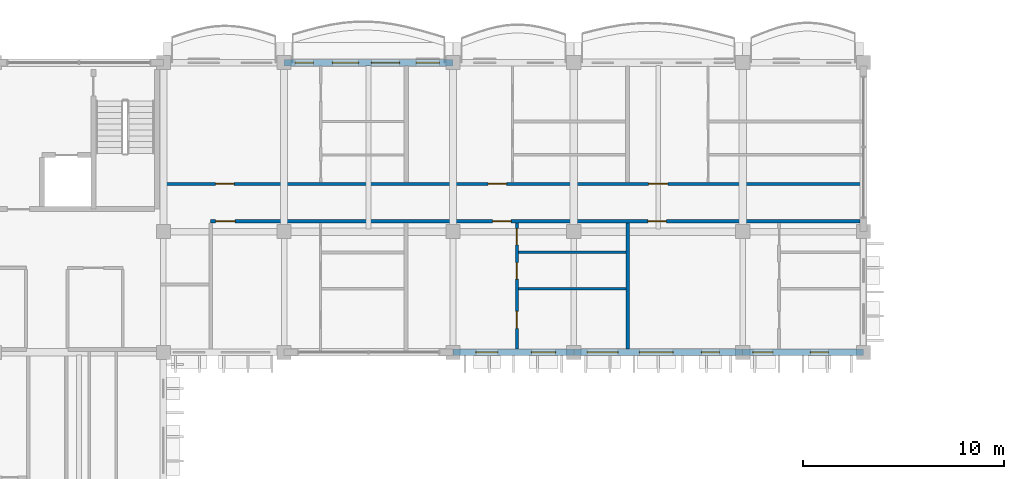
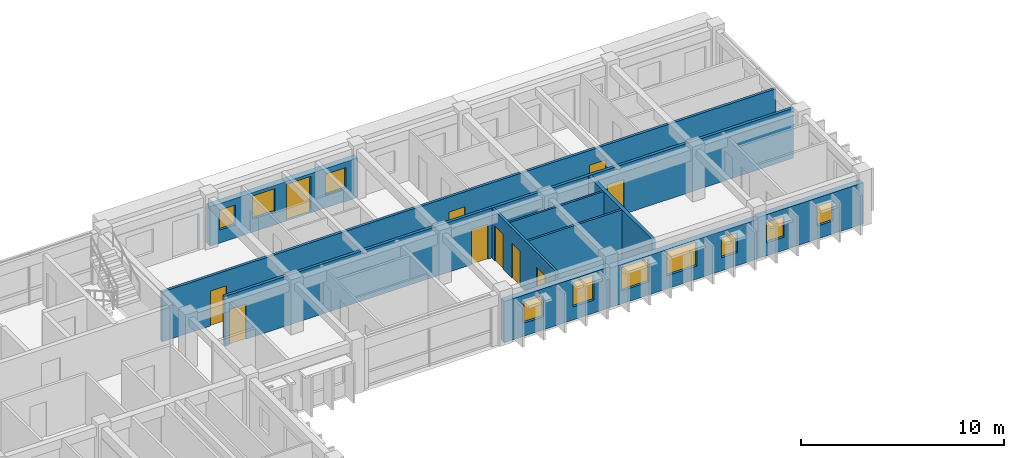
# One storey, part 33 of 76: 10 doors, 10 walls, 10 windows, 20 openings.
"""IFC4 building model written with IfcOpenShell, lengths in metres."""

from ifc_helpers import new_model, si_unit, direction, frame, frame_2d, origin, place, context, subcontext, project, spatial, rectangle, extrude, material, layer, layer_set, type_object, element, fill, save


model = new_model("IFC4")

# Units and contexts
model_context = context("Model", 3, precision=1e-05, world=origin(), true_north=direction((0.0, 1.0)))
body_context = subcontext(model_context, "Body", "Model", "MODEL_VIEW")
ifc_project = project(units=[si_unit("LENGTHUNIT", "METRE"), si_unit("AREAUNIT", "SQUARE_METRE"), si_unit("VOLUMEUNIT", "CUBIC_METRE"), si_unit("PLANEANGLEUNIT", "RADIAN"), si_unit("MASSUNIT", "GRAM", prefix="KILO"), si_unit("THERMODYNAMICTEMPERATUREUNIT", "KELVIN")], contexts=[model_context])

# Site, building, storey
site_placement = place(None, origin())
site = spatial("IfcSite", under=ifc_project, at=site_placement, CompositionType="ELEMENT")
building_placement = place(site_placement, origin())
building = spatial("IfcBuilding", under=site, at=building_placement, Name="Thalorik Housing Commons", CompositionType="ELEMENT")
storey_placement = place(building_placement, frame((0.0, 0.0, 18.0)))
storey = spatial("IfcBuildingStorey", under=building, at=storey_placement, Name="L05", CompositionType="ELEMENT", Elevation=18.0)

# Wall, openings, doors
ifc_material_1 = material(Name="Masonry fire-rated corridor wall", Category="masonry")
ifc_layer_1 = layer(ifc_material_1, 0.14990234375, Name="Masonry fire-rated corridor wall", Category="masonry")
ifc_layer_set_1 = layer_set([ifc_layer_1], Name="Masonry fire-rated corridor wall")
wall_type_1 = type_object("IfcWallType", Name="ARC-WAL-CORR-150", PredefinedType="PARTITIONING", material=ifc_layer_set_1)
wall_1_placement = place(storey_placement, frame((22.659912109375, 117.580078125, 0.0), z_axis=(0.0, 0.0, 1.0), x_axis=(1.0, 0.0, 0.0)))
wall_1 = element("IfcWall", 1, at=wall_1_placement, inside=storey, type_object=wall_type_1, Name="L05 Block A N Corridor Wall 2", PredefinedType="PARTITIONING", context=body_context, shape_type="SweptSolid", body=[
    extrude(rectangle(XDim=34.880126953125, YDim=0.14990234375, at=frame_2d((17.43994140625, 0.0))), origin(), (0.0, 0.0, 1.0), 3.0),
])
opening_1_placement = place(wall_1_placement, frame((2.739990234375, 0.0, 0.0)))
opening_1 = element("IfcOpeningElement", 2, at=opening_1_placement, cuts=wall_1, Name="Opening ID-0618", PredefinedType="OPENING", context=body_context, shape_type="SweptSolid", body=[
    extrude(rectangle(XDim=0.919921875, YDim=2.10009765625, at=frame_2d((0.4599609375, 1.050048828125))), frame((0.0, 0.0849609375, 0.0), z_axis=(0.0, -1.0, 0.0), x_axis=(1.0, 0.0, 0.0)), (0.0, 0.0, 1.0), 0.169921875),
])
opening_2_placement = place(wall_1_placement, frame((16.284912109375, 0.0, 0.0)))
opening_2 = element("IfcOpeningElement", 3, at=opening_2_placement, cuts=wall_1, Name="Opening ID-0619", PredefinedType="OPENING", context=body_context, shape_type="SweptSolid", body=[
    extrude(rectangle(XDim=0.919921875, YDim=2.10009765625, at=frame_2d((0.4599609375, 1.050048828125))), frame((0.0, 0.0849609375, 0.0), z_axis=(0.0, -1.0, 0.0), x_axis=(1.0, 0.0, 0.0)), (0.0, 0.0, 1.0), 0.169921875),
])
opening_3_placement = place(wall_1_placement, frame((24.2626953125, 0.0, 0.0)))
opening_3 = element("IfcOpeningElement", 4, at=opening_3_placement, cuts=wall_1, Name="Opening ID-0620", PredefinedType="OPENING", context=body_context, shape_type="SweptSolid", body=[
    extrude(rectangle(XDim=0.9599609375, YDim=2.1201171875, at=frame_2d((0.47998046875, 1.06005859375))), frame((0.0, 0.0849609375, 0.0), z_axis=(0.0, -1.0, 0.0), x_axis=(1.0, 0.0, 0.0)), (0.0, 0.0, 1.0), 0.169921875),
])
ifc_material_2 = material(Name="Solid core hardwood timber", Category="wood")
door_type_1 = type_object("IfcDoorType", Name="ARC-DR-FD30-920", OperationType="NOTDEFINED", PredefinedType="DOOR", material=ifc_material_2)
door_1_placement = place(opening_1_placement, origin())
door_1 = element("IfcDoor", 5, at=door_1_placement, inside=storey, type_object=door_type_1, Name="L05 Flat AN-1B Entrance Door", OperationType="SINGLE_SWING_LEFT", OverallHeight=2.10009765625, OverallWidth=0.919921875, PredefinedType="DOOR", context=body_context, shape_type="SweptSolid", body=[
    extrude(rectangle(XDim=0.919921875, YDim=2.10009765625, at=frame_2d((0.4599609375, 1.050048828125))), frame((0.0, 0.02490234375, 0.0), z_axis=(0.0, -1.0, 0.0), x_axis=(1.0, 0.0, 0.0)), (0.0, 0.0, 1.0), 0.050048828125),
])
fill(opening_1, door_1)
door_2_placement = place(opening_2_placement, origin())
door_2 = element("IfcDoor", 6, at=door_2_placement, inside=storey, type_object=door_type_1, Name="L05 Flat AN-2B Entrance Door", OperationType="SINGLE_SWING_RIGHT", OverallHeight=2.10009765625, OverallWidth=0.919921875, PredefinedType="DOOR", context=body_context, shape_type="SweptSolid", body=[
    extrude(rectangle(XDim=0.919921875, YDim=2.10009765625, at=frame_2d((0.4599609375, 1.050048828125))), frame((0.0, 0.02490234375, 0.0), z_axis=(0.0, -1.0, 0.0), x_axis=(1.0, 0.0, 0.0)), (0.0, 0.0, 1.0), 0.050048828125),
])
fill(opening_2, door_2)
door_type_2 = type_object("IfcDoorType", Name="ARC-DR-FD30-960", OperationType="NOTDEFINED", PredefinedType="DOOR", material=ifc_material_2)
door_3_placement = place(opening_3_placement, origin())
door_3 = element("IfcDoor", 7, at=door_3_placement, inside=storey, type_object=door_type_2, Name="L05 Flat AN-3B Entrance Door", OperationType="SINGLE_SWING_LEFT", OverallHeight=2.1201171875, OverallWidth=0.9599609375, PredefinedType="DOOR", context=body_context, shape_type="SweptSolid", body=[
    extrude(rectangle(XDim=0.9599609375, YDim=2.1201171875, at=frame_2d((0.47998046875, 1.06005859375))), frame((0.0, 0.02490234375, 0.0), z_axis=(0.0, -1.0, 0.0), x_axis=(1.0, 0.0, 0.0)), (0.0, 0.0, 1.0), 0.050048828125),
])
fill(opening_3, door_3)

ifc_layer_2 = layer(ifc_material_1, 0.1650390625, Name="Masonry fire-rated corridor wall", Category="masonry")
ifc_layer_set_2 = layer_set([ifc_layer_2], Name="Masonry fire-rated corridor wall")
wall_type_2 = type_object("IfcWallType", Name="ARC-WAL-CORR-165", PredefinedType="PARTITIONING", material=ifc_layer_set_2)
wall_2_placement = place(storey_placement, frame((25.14990234375, 115.719970703125, 0.0), z_axis=(0.0, 0.0, 1.0), x_axis=(1.0, 0.0, 0.0)))
wall_2 = element("IfcWall", 8, at=wall_2_placement, inside=storey, type_object=wall_type_2, Name="L05 Block A N Corridor Wall 1", PredefinedType="PARTITIONING", context=body_context, shape_type="SweptSolid", body=[
    extrude(rectangle(XDim=32.280517578125, YDim=0.1650390625, at=frame_2d((16.14013671875, 0.0))), origin(), (0.0, 0.0, 1.0), 3.0),
])
opening_4_placement = place(wall_2_placement, frame((0.25, 0.0, 0.0)))
opening_4 = element("IfcOpeningElement", 9, at=opening_4_placement, cuts=wall_2, Name="Opening ID-0615", PredefinedType="OPENING", context=body_context, shape_type="SweptSolid", body=[
    extrude(rectangle(XDim=0.9599609375, YDim=2.1201171875, at=frame_2d((0.47998046875, 1.06005859375))), frame((0.0, 0.092529296875, 0.0), z_axis=(0.0, -1.0, 0.0), x_axis=(1.0, 0.0, 0.0)), (0.0, 0.0, 1.0), 0.18505859375),
])
opening_5_placement = place(wall_2_placement, frame((14.014892578125, 0.0, 0.0)))
opening_5 = element("IfcOpeningElement", 10, at=opening_5_placement, cuts=wall_2, Name="Opening ID-0616", PredefinedType="OPENING", context=body_context, shape_type="SweptSolid", body=[
    extrude(rectangle(XDim=0.919921875, YDim=2.10009765625, at=frame_2d((0.4599609375, 1.050048828125))), frame((0.0, 0.092529296875, 0.0), z_axis=(0.0, -1.0, 0.0), x_axis=(1.0, 0.0, 0.0)), (0.0, 0.0, 1.0), 0.18505859375),
])
opening_6_placement = place(wall_2_placement, frame((21.73876953125, 0.0, 0.0)))
opening_6 = element("IfcOpeningElement", 11, at=opening_6_placement, cuts=wall_2, Name="Opening ID-0617", PredefinedType="OPENING", context=body_context, shape_type="SweptSolid", body=[
    extrude(rectangle(XDim=0.919921875, YDim=2.10009765625, at=frame_2d((0.4599609375, 1.050048828125))), frame((0.0, 0.092529296875, 0.0), z_axis=(0.0, -1.0, 0.0), x_axis=(1.0, 0.0, 0.0)), (0.0, 0.0, 1.0), 0.18505859375),
])
door_4_placement = place(opening_5_placement, origin())
door_4 = element("IfcDoor", 12, at=door_4_placement, inside=storey, type_object=door_type_1, Name="L05 Flat AN-2A Entrance Door", OperationType="SINGLE_SWING_LEFT", OverallHeight=2.10009765625, OverallWidth=0.919921875, PredefinedType="DOOR", context=body_context, shape_type="SweptSolid", body=[
    extrude(rectangle(XDim=0.919921875, YDim=2.10009765625, at=frame_2d((0.4599609375, 1.050048828125))), frame((0.0, 0.02490234375, 0.0), z_axis=(0.0, -1.0, 0.0), x_axis=(1.0, 0.0, 0.0)), (0.0, 0.0, 1.0), 0.050048828125),
])
fill(opening_5, door_4)
door_5_placement = place(opening_6_placement, origin())
door_5 = element("IfcDoor", 13, at=door_5_placement, inside=storey, type_object=door_type_1, Name="L05 Flat AN-3A Entrance Door", OperationType="SINGLE_SWING_RIGHT", OverallHeight=2.10009765625, OverallWidth=0.919921875, PredefinedType="DOOR", context=body_context, shape_type="SweptSolid", body=[
    extrude(rectangle(XDim=0.919921875, YDim=2.10009765625, at=frame_2d((0.4599609375, 1.050048828125))), frame((0.0, 0.02490234375, 0.0), z_axis=(0.0, -1.0, 0.0), x_axis=(1.0, 0.0, 0.0)), (0.0, 0.0, 1.0), 0.050048828125),
])
fill(opening_6, door_5)
door_6_placement = place(opening_4_placement, origin())
door_6 = element("IfcDoor", 14, at=door_6_placement, inside=storey, type_object=door_type_2, Name="L05 Flat AN-1A Entrance Door", OperationType="SINGLE_SWING_RIGHT", OverallHeight=2.1201171875, OverallWidth=0.9599609375, PredefinedType="DOOR", context=body_context, shape_type="SweptSolid", body=[
    extrude(rectangle(XDim=0.9599609375, YDim=2.1201171875, at=frame_2d((0.47998046875, 1.06005859375))), frame((0.0, 0.02490234375, 0.0), z_axis=(0.0, -1.0, 0.0), x_axis=(1.0, 0.0, 0.0)), (0.0, 0.0, 1.0), 0.050048828125),
])
fill(opening_4, door_6)

# Wall, openings, windows
ifc_material_3 = material(Name="White precast concrete C40/50", Category="concrete")
ifc_layer_3 = layer(ifc_material_3, 0.3349609375, Name="White precast concrete C40/50", Category="concrete")
ifc_layer_set_3 = layer_set([ifc_layer_3], Name="White precast concrete C40/50")
wall_type_3 = type_object("IfcWallType", Name="ARC-WAL-EXT-335", PredefinedType="STANDARD", material=ifc_layer_set_3)
wall_3_placement = place(storey_placement, frame((37.199951171875, 109.199951171875, 0.0), z_axis=(0.0, 0.0, 1.0), x_axis=(1.0, 0.0, 0.0)))
wall_3 = element("IfcWall", 15, at=wall_3_placement, inside=storey, type_object=wall_type_3, Name="L05 Exterior Wall WAL-EXT-L05-A-0143", PredefinedType="STANDARD", context=body_context, shape_type="SweptSolid", body=[
    extrude(rectangle(XDim=6.0, YDim=0.3349609375, at=frame_2d((3.0, 0.0))), origin(), (0.0, 0.0, 1.0), 2.47509765625),
])
opening_7_placement = place(wall_3_placement, frame((1.132568359375, 0.0, 0.780029296875)))
opening_7 = element("IfcOpeningElement", 16, at=opening_7_placement, cuts=wall_3, Name="Opening W-03", PredefinedType="OPENING", context=body_context, shape_type="SweptSolid", body=[
    extrude(rectangle(XDim=1.10009765625, YDim=1.300048828125, at=frame_2d((0.550048828125, 0.64990234375))), frame((0.0, 0.177490234375, 0.0), z_axis=(0.0, -1.0, 0.0), x_axis=(1.0, 0.0, 0.0)), (0.0, 0.0, 1.0), 0.35498046875),
])
opening_8_placement = place(wall_3_placement, frame((3.892578125, 0.0, 0.780029296875)))
opening_8 = element("IfcOpeningElement", 17, at=opening_8_placement, cuts=wall_3, Name="Opening W-05", PredefinedType="OPENING", context=body_context, shape_type="SweptSolid", body=[
    extrude(rectangle(XDim=1.199951171875, YDim=1.5, at=frame_2d((0.60009765625, 0.75))), frame((0.0, 0.177490234375, 0.0), z_axis=(0.0, -1.0, 0.0), x_axis=(1.0, 0.0, 0.0)), (0.0, 0.0, 1.0), 0.35498046875),
])
ifc_material_4 = material(Name="Anodised aluminium and solar-control low-E glass", Category="aluminium")
window_type_1 = type_object("IfcWindowType", Name="ARC-WIN-03", PartitioningType="SINGLE_PANEL", PredefinedType="WINDOW", material=ifc_material_4)
window_1_placement = place(opening_7_placement, origin())
window_1 = element("IfcWindow", 18, at=window_1_placement, inside=storey, type_object=window_type_1, Name="L05 Facade Window 257", OverallHeight=1.300048828125, OverallWidth=1.10009765625, PartitioningType="SINGLE_PANEL", PredefinedType="WINDOW", context=body_context, shape_type="SweptSolid", body=[
    extrude(rectangle(XDim=1.10009765625, YDim=1.300048828125, at=frame_2d((0.550048828125, 0.64990234375))), frame((0.0, 0.030029296875, 0.0), z_axis=(0.0, -1.0, 0.0), x_axis=(1.0, 0.0, 0.0)), (0.0, 0.0, 1.0), 0.06005859375),
])
fill(opening_7, window_1)
window_type_2 = type_object("IfcWindowType", Name="ARC-WIN-05", PartitioningType="SINGLE_PANEL", PredefinedType="WINDOW", material=ifc_material_4)
window_2_placement = place(opening_8_placement, origin())
window_2 = element("IfcWindow", 19, at=window_2_placement, inside=storey, type_object=window_type_2, Name="L05 Facade Window 258", OverallHeight=1.5, OverallWidth=1.199951171875, PartitioningType="SINGLE_PANEL", PredefinedType="WINDOW", context=body_context, shape_type="SweptSolid", body=[
    extrude(rectangle(XDim=1.199951171875, YDim=1.5, at=frame_2d((0.60009765625, 0.75))), frame((0.0, 0.030029296875, 0.0), z_axis=(0.0, -1.0, 0.0), x_axis=(1.0, 0.0, 0.0)), (0.0, 0.0, 1.0), 0.06005859375),
])
fill(opening_8, window_2)

wall_4_placement = place(storey_placement, frame((43.199951171875, 109.199951171875, 0.0), z_axis=(0.0, 0.0, 1.0), x_axis=(1.0, 0.0, 0.0)))
wall_4 = element("IfcWall", 20, at=wall_4_placement, inside=storey, type_object=wall_type_3, Name="L05 Exterior Wall WAL-EXT-L05-A-0144", PredefinedType="STANDARD", context=body_context, shape_type="SweptSolid", body=[
    extrude(rectangle(XDim=8.400146484375, YDim=0.3349609375, at=frame_2d((4.2001953125, 0.0))), origin(), (0.0, 0.0, 1.0), 2.375),
])
opening_9_placement = place(wall_4_placement, frame((0.659912109375, 0.0, 0.780029296875)))
opening_9 = element("IfcOpeningElement", 21, at=opening_9_placement, cuts=wall_4, Name="Opening W-12", PredefinedType="OPENING", context=body_context, shape_type="SweptSolid", body=[
    extrude(rectangle(XDim=1.550048828125, YDim=1.39990234375, at=frame_2d((0.77490234375, 0.699951171875))), frame((0.0, 0.177490234375, 0.0), z_axis=(0.0, -1.0, 0.0), x_axis=(1.0, 0.0, 0.0)), (0.0, 0.0, 1.0), 0.35498046875),
])
opening_10_placement = place(wall_4_placement, frame((3.257568359375, 0.0, 0.780029296875)))
opening_10 = element("IfcOpeningElement", 22, at=opening_10_placement, cuts=wall_4, Name="Opening W-55", PredefinedType="OPENING", context=body_context, shape_type="SweptSolid", body=[
    extrude(rectangle(XDim=1.679931640625, YDim=1.4599609375, at=frame_2d((0.83984375, 0.72998046875))), frame((0.0, 0.177490234375, 0.0), z_axis=(0.0, -1.0, 0.0), x_axis=(1.0, 0.0, 0.0)), (0.0, 0.0, 1.0), 0.35498046875),
])
opening_11_placement = place(wall_4_placement, frame((6.342529296875, 0.0, 0.780029296875)))
opening_11 = element("IfcOpeningElement", 23, at=opening_11_placement, cuts=wall_4, Name="Opening W-01", PredefinedType="OPENING", context=body_context, shape_type="SweptSolid", body=[
    extrude(rectangle(XDim=0.89990234375, YDim=1.199951171875, at=frame_2d((0.449951171875, 0.60009765625))), frame((0.0, 0.177490234375, 0.0), z_axis=(0.0, -1.0, 0.0), x_axis=(1.0, 0.0, 0.0)), (0.0, 0.0, 1.0), 0.35498046875),
])
window_type_3 = type_object("IfcWindowType", Name="ARC-WIN-01", PartitioningType="SINGLE_PANEL", PredefinedType="WINDOW", material=ifc_material_4)
window_3_placement = place(opening_11_placement, origin())
window_3 = element("IfcWindow", 24, at=window_3_placement, inside=storey, type_object=window_type_3, Name="L05 Facade Window 261", OverallHeight=1.199951171875, OverallWidth=0.89990234375, PartitioningType="SINGLE_PANEL", PredefinedType="WINDOW", context=body_context, shape_type="SweptSolid", body=[
    extrude(rectangle(XDim=0.89990234375, YDim=1.199951171875, at=frame_2d((0.449951171875, 0.60009765625))), frame((0.0, 0.030029296875, 0.0), z_axis=(0.0, -1.0, 0.0), x_axis=(1.0, 0.0, 0.0)), (0.0, 0.0, 1.0), 0.06005859375),
])
fill(opening_11, window_3)
window_type_4 = type_object("IfcWindowType", Name="ARC-WIN-12", PartitioningType="SINGLE_PANEL", PredefinedType="WINDOW", material=ifc_material_4)
window_4_placement = place(opening_9_placement, origin())
window_4 = element("IfcWindow", 25, at=window_4_placement, inside=storey, type_object=window_type_4, Name="L05 Facade Window 259", OverallHeight=1.39990234375, OverallWidth=1.550048828125, PartitioningType="SINGLE_PANEL", PredefinedType="WINDOW", context=body_context, shape_type="SweptSolid", body=[
    extrude(rectangle(XDim=1.550048828125, YDim=1.39990234375, at=frame_2d((0.77490234375, 0.699951171875))), frame((0.0, 0.030029296875, 0.0), z_axis=(0.0, -1.0, 0.0), x_axis=(1.0, 0.0, 0.0)), (0.0, 0.0, 1.0), 0.06005859375),
])
fill(opening_9, window_4)
window_type_5 = type_object("IfcWindowType", Name="ARC-WIN-55", PartitioningType="DOUBLE_PANEL_VERTICAL", PredefinedType="WINDOW", material=ifc_material_4)
window_5_placement = place(opening_10_placement, origin())
window_5 = element("IfcWindow", 26, at=window_5_placement, inside=storey, type_object=window_type_5, Name="L05 Facade Window 260", OverallHeight=1.4599609375, OverallWidth=1.679931640625, PartitioningType="DOUBLE_PANEL_VERTICAL", PredefinedType="WINDOW", context=body_context, shape_type="SweptSolid", body=[
    extrude(rectangle(XDim=1.679931640625, YDim=1.4599609375, at=frame_2d((0.83984375, 0.72998046875))), frame((0.0, 0.030029296875, 0.0), z_axis=(0.0, -1.0, 0.0), x_axis=(1.0, 0.0, 0.0)), (0.0, 0.0, 1.0), 0.06005859375),
])
fill(opening_10, window_5)

wall_5_placement = place(storey_placement, frame((51.60009765625, 109.199951171875, 0.0), z_axis=(0.0, 0.0, 1.0), x_axis=(1.0, 0.0, 0.0)))
wall_5 = element("IfcWall", 27, at=wall_5_placement, inside=storey, type_object=wall_type_3, Name="L05 Exterior Wall WAL-EXT-L05-A-0145", PredefinedType="STANDARD", context=body_context, shape_type="SweptSolid", body=[
    extrude(rectangle(XDim=6.0, YDim=0.3349609375, at=frame_2d((3.0, 0.0))), origin(), (0.0, 0.0, 1.0), 2.47509765625),
])
opening_12_placement = place(wall_5_placement, frame((0.5, 0.0, 0.780029296875)))
opening_12 = element("IfcOpeningElement", 28, at=opening_12_placement, cuts=wall_5, Name="Opening W-02", PredefinedType="OPENING", context=body_context, shape_type="SweptSolid", body=[
    extrude(rectangle(XDim=1.0, YDim=1.25, at=frame_2d((0.5, 0.625))), frame((0.0, 0.177490234375, 0.0), z_axis=(0.0, -1.0, 0.0), x_axis=(1.0, 0.0, 0.0)), (0.0, 0.0, 1.0), 0.35498046875),
])
opening_13_placement = place(wall_5_placement, frame((3.360107421875, 0.0, 0.780029296875)))
opening_13 = element("IfcOpeningElement", 29, at=opening_13_placement, cuts=wall_5, Name="Opening W-01", PredefinedType="OPENING", context=body_context, shape_type="SweptSolid", body=[
    extrude(rectangle(XDim=0.89990234375, YDim=1.199951171875, at=frame_2d((0.449951171875, 0.60009765625))), frame((0.0, 0.177490234375, 0.0), z_axis=(0.0, -1.0, 0.0), x_axis=(1.0, 0.0, 0.0)), (0.0, 0.0, 1.0), 0.35498046875),
])
window_6_placement = place(opening_13_placement, origin())
window_6 = element("IfcWindow", 30, at=window_6_placement, inside=storey, type_object=window_type_3, Name="L05 Facade Window 263", OverallHeight=1.199951171875, OverallWidth=0.89990234375, PartitioningType="SINGLE_PANEL", PredefinedType="WINDOW", context=body_context, shape_type="SweptSolid", body=[
    extrude(rectangle(XDim=0.89990234375, YDim=1.199951171875, at=frame_2d((0.449951171875, 0.60009765625))), frame((0.0, 0.030029296875, 0.0), z_axis=(0.0, -1.0, 0.0), x_axis=(1.0, 0.0, 0.0)), (0.0, 0.0, 1.0), 0.06005859375),
])
fill(opening_13, window_6)
window_type_6 = type_object("IfcWindowType", Name="ARC-WIN-02", PartitioningType="SINGLE_PANEL", PredefinedType="WINDOW", material=ifc_material_4)
window_7_placement = place(opening_12_placement, origin())
window_7 = element("IfcWindow", 31, at=window_7_placement, inside=storey, type_object=window_type_6, Name="L05 Facade Window 262", OverallHeight=1.25, OverallWidth=1.0, PartitioningType="SINGLE_PANEL", PredefinedType="WINDOW", context=body_context, shape_type="SweptSolid", body=[
    extrude(rectangle(XDim=1.0, YDim=1.25, at=frame_2d((0.5, 0.625))), frame((0.0, 0.030029296875, 0.0), z_axis=(0.0, -1.0, 0.0), x_axis=(1.0, 0.0, 0.0)), (0.0, 0.0, 1.0), 0.06005859375),
])
fill(opening_12, window_7)

# Wall, openings, door, windows
wall_6_placement = place(storey_placement, frame((37.199951171875, 123.60009765625, 0.0), z_axis=(0.0, 0.0, 1.0), x_axis=(-1.0, 0.0, 0.0)))
wall_6 = element("IfcWall", 32, at=wall_6_placement, inside=storey, type_object=wall_type_3, Name="L05 Exterior Wall WAL-EXT-L05-A-0151", PredefinedType="STANDARD", context=body_context, shape_type="SweptSolid", body=[
    extrude(rectangle(XDim=8.39990234375, YDim=0.3349609375, at=frame_2d((4.199951171875, 0.0))), origin(), (0.0, 0.0, 1.0), 2.375),
])
opening_14_placement = place(wall_6_placement, frame((2.659912109375, 0.0, 0.0)))
opening_14 = element("IfcOpeningElement", 33, at=opening_14_placement, cuts=wall_6, Name="Opening ED-0043", PredefinedType="OPENING", context=body_context, shape_type="SweptSolid", body=[
    extrude(rectangle(XDim=1.39990234375, YDim=2.199951171875, at=frame_2d((0.699951171875, 1.10009765625))), frame((0.0, 0.177490234375, 0.0), z_axis=(0.0, -1.0, 0.0), x_axis=(1.0, 0.0, 0.0)), (0.0, 0.0, 1.0), 0.35498046875),
])
opening_15_placement = place(wall_6_placement, frame((0.68505859375, 0.0, 0.780029296875)))
opening_15 = element("IfcOpeningElement", 34, at=opening_15_placement, cuts=wall_6, Name="Opening W-45", PredefinedType="OPENING", context=body_context, shape_type="SweptSolid", body=[
    extrude(rectangle(XDim=1.14990234375, YDim=1.25, at=frame_2d((0.574951171875, 0.625))), frame((0.0, 0.177490234375, 0.0), z_axis=(0.0, -1.0, 0.0), x_axis=(1.0, 0.0, 0.0)), (0.0, 0.0, 1.0), 0.35498046875),
])
opening_16_placement = place(wall_6_placement, frame((4.697265625, 0.0, 0.780029296875)))
opening_16 = element("IfcOpeningElement", 35, at=opening_16_placement, cuts=wall_6, Name="Opening W-06", PredefinedType="OPENING", context=body_context, shape_type="SweptSolid", body=[
    extrude(rectangle(XDim=1.300048828125, YDim=1.39990234375, at=frame_2d((0.64990234375, 0.699951171875))), frame((0.0, 0.177490234375, 0.0), z_axis=(0.0, -1.0, 0.0), x_axis=(1.0, 0.0, 0.0)), (0.0, 0.0, 1.0), 0.35498046875),
])
opening_17_placement = place(wall_6_placement, frame((6.947265625, 0.0, 0.780029296875)))
opening_17 = element("IfcOpeningElement", 36, at=opening_17_placement, cuts=wall_6, Name="Opening W-01", PredefinedType="OPENING", context=body_context, shape_type="SweptSolid", body=[
    extrude(rectangle(XDim=0.89990234375, YDim=1.199951171875, at=frame_2d((0.449951171875, 0.60009765625))), frame((0.0, 0.177490234375, 0.0), z_axis=(0.0, -1.0, 0.0), x_axis=(1.0, 0.0, 0.0)), (0.0, 0.0, 1.0), 0.35498046875),
])
ifc_material_5 = material(Name="Anodised aluminium and laminated safety glass", Category="aluminium")
door_type_3 = type_object("IfcDoorType", Name="ARC-DR-BAL-1400", OperationType="NOTDEFINED", PredefinedType="DOOR", material=ifc_material_5)
door_7_placement = place(opening_14_placement, frame((1.39990234375, 0.0, 0.0), z_axis=(0.0, 0.0, 1.0), x_axis=(-1.0, 0.0, 0.0)))
door_7 = element("IfcDoor", 37, at=door_7_placement, inside=storey, type_object=door_type_3, Name="L05 Block A Balcony Glazed Door", OperationType="SLIDING_TO_LEFT", OverallHeight=2.199951171875, OverallWidth=1.39990234375, PredefinedType="DOOR", context=body_context, shape_type="SweptSolid", body=[
    extrude(rectangle(XDim=1.39990234375, YDim=2.199951171875, at=frame_2d((0.699951171875, 1.10009765625))), frame((0.0, 0.02490234375, 0.0), z_axis=(0.0, -1.0, 0.0), x_axis=(1.0, 0.0, 0.0)), (0.0, 0.0, 1.0), 0.050048828125),
])
fill(opening_14, door_7)
window_8_placement = place(opening_17_placement, origin())
window_8 = element("IfcWindow", 38, at=window_8_placement, inside=storey, type_object=window_type_3, Name="L05 Facade Window 273", OverallHeight=1.199951171875, OverallWidth=0.89990234375, PartitioningType="SINGLE_PANEL", PredefinedType="WINDOW", context=body_context, shape_type="SweptSolid", body=[
    extrude(rectangle(XDim=0.89990234375, YDim=1.199951171875, at=frame_2d((0.449951171875, 0.60009765625))), frame((0.0, 0.030029296875, 0.0), z_axis=(0.0, -1.0, 0.0), x_axis=(1.0, 0.0, 0.0)), (0.0, 0.0, 1.0), 0.06005859375),
])
fill(opening_17, window_8)
window_type_7 = type_object("IfcWindowType", Name="ARC-WIN-06", PartitioningType="SINGLE_PANEL", PredefinedType="WINDOW", material=ifc_material_4)
window_9_placement = place(opening_16_placement, origin())
window_9 = element("IfcWindow", 39, at=window_9_placement, inside=storey, type_object=window_type_7, Name="L05 Facade Window 272", OverallHeight=1.39990234375, OverallWidth=1.300048828125, PartitioningType="SINGLE_PANEL", PredefinedType="WINDOW", context=body_context, shape_type="SweptSolid", body=[
    extrude(rectangle(XDim=1.300048828125, YDim=1.39990234375, at=frame_2d((0.64990234375, 0.699951171875))), frame((0.0, 0.030029296875, 0.0), z_axis=(0.0, -1.0, 0.0), x_axis=(1.0, 0.0, 0.0)), (0.0, 0.0, 1.0), 0.06005859375),
])
fill(opening_16, window_9)
window_type_8 = type_object("IfcWindowType", Name="ARC-WIN-45", PartitioningType="SINGLE_PANEL", PredefinedType="WINDOW", material=ifc_material_4)
window_10_placement = place(opening_15_placement, origin())
window_10 = element("IfcWindow", 40, at=window_10_placement, inside=storey, type_object=window_type_8, Name="L05 Facade Window 271", OverallHeight=1.25, OverallWidth=1.14990234375, PartitioningType="SINGLE_PANEL", PredefinedType="WINDOW", context=body_context, shape_type="SweptSolid", body=[
    extrude(rectangle(XDim=1.14990234375, YDim=1.25, at=frame_2d((0.574951171875, 0.625))), frame((0.0, 0.030029296875, 0.0), z_axis=(0.0, -1.0, 0.0), x_axis=(1.0, 0.0, 0.0)), (0.0, 0.0, 1.0), 0.06005859375),
])
fill(opening_15, window_10)

# Walls
ifc_material_6 = material(Name="Gypsum moisture-resistant partition", Category="masonry")
ifc_layer_4 = layer(ifc_material_6, 0.114990234375, Name="Gypsum moisture-resistant partition", Category="masonry")
ifc_layer_set_4 = layer_set([ifc_layer_4], Name="Gypsum moisture-resistant partition")
wall_type_4 = type_object("IfcWallType", Name="ARC-WAL-PART-115", PredefinedType="PARTITIONING", material=ifc_layer_set_4)
wall_7_placement = place(storey_placement, frame((40.447021484375, 114.169677734375, 0.0), z_axis=(0.0, 0.0, 1.0), x_axis=(1.0, 0.0, 0.0)))
element("IfcWall", 41, at=wall_7_placement, inside=storey, type_object=wall_type_4, Name="L05 Unit 2 Wet Wall", PredefinedType="PARTITIONING", context=body_context, shape_type="SweptSolid", body=[
    extrude(rectangle(XDim=5.33837890625, YDim=0.114990234375, at=frame_2d((2.669189453125, 0.0))), origin(), (0.0, 0.0, 1.0), 3.0),
])
ifc_material_7 = material(Name="Gypsum acoustic stud partition", Category="masonry")
ifc_layer_5 = layer(ifc_material_7, 0.125, Name="Gypsum acoustic stud partition", Category="masonry")
ifc_layer_set_5 = layer_set([ifc_layer_5], Name="Gypsum acoustic stud partition")
wall_type_5 = type_object("IfcWallType", Name="ARC-WAL-PART-125", PredefinedType="PARTITIONING", material=ifc_layer_set_5)
wall_8_placement = place(storey_placement, frame((40.447021484375, 112.36083984375, 0.0), z_axis=(0.0, 0.0, 1.0), x_axis=(1.0, 0.0, 0.0)))
element("IfcWall", 42, at=wall_8_placement, inside=storey, type_object=wall_type_5, Name="L05 Unit 2 Bedroom Partition", PredefinedType="PARTITIONING", context=body_context, shape_type="SweptSolid", body=[
    extrude(rectangle(XDim=5.33837890625, YDim=0.125, at=frame_2d((2.669189453125, 0.0))), origin(), (0.0, 0.0, 1.0), 3.0),
])

# Wall, openings, doors
ifc_material_8 = material(Name="Ceramic masonry partition wall", Category="masonry")
ifc_layer_6 = layer(ifc_material_8, 0.139892578125, Name="Ceramic masonry partition wall", Category="masonry")
ifc_layer_set_6 = layer_set([ifc_layer_6], Name="Ceramic masonry partition wall")
wall_type_6 = type_object("IfcWallType", Name="ARC-WAL-PART-140", PredefinedType="PARTITIONING", material=ifc_layer_set_6)
wall_9_placement = place(storey_placement, frame((40.375, 109.369384765625, 0.0), z_axis=(0.0, 0.0, 1.0), x_axis=(0.0, 1.0, 0.0)))
wall_9 = element("IfcWall", 43, at=wall_9_placement, inside=storey, type_object=wall_type_6, Name="L05 Unit 2 Spine Partition", PredefinedType="PARTITIONING", context=body_context, shape_type="SweptSolid", body=[
    extrude(rectangle(XDim=6.26611328125, YDim=0.139892578125, at=frame_2d((3.133056640625, 0.0))), origin(), (0.0, 0.0, 1.0), 3.0),
])
opening_18_placement = place(wall_9_placement, frame((1.015869140625, 0.0, 0.0)))
opening_18 = element("IfcOpeningElement", 44, at=opening_18_placement, cuts=wall_9, Name="Opening ID-0603", PredefinedType="OPENING", context=body_context, shape_type="SweptSolid", body=[
    extrude(rectangle(XDim=0.85009765625, YDim=2.10009765625, at=frame_2d((0.425048828125, 1.050048828125))), frame((0.0, 0.080078125, 0.0), z_axis=(0.0, -1.0, 0.0), x_axis=(1.0, 0.0, 0.0)), (0.0, 0.0, 1.0), 0.159912109375),
])
opening_19_placement = place(wall_9_placement, frame((3.470703125, 0.0, 0.0)))
opening_19 = element("IfcOpeningElement", 45, at=opening_19_placement, cuts=wall_9, Name="Opening ID-0604", PredefinedType="OPENING", context=body_context, shape_type="SweptSolid", body=[
    extrude(rectangle(XDim=0.820068359375, YDim=2.080078125, at=frame_2d((0.41015625, 1.0400390625))), frame((0.0, 0.080078125, 0.0), z_axis=(0.0, -1.0, 0.0), x_axis=(1.0, 0.0, 0.0)), (0.0, 0.0, 1.0), 0.159912109375),
])
opening_20_placement = place(wall_9_placement, frame((5.17529296875, 0.0, 0.0)))
opening_20 = element("IfcOpeningElement", 46, at=opening_20_placement, cuts=wall_9, Name="Opening ID-0605", PredefinedType="OPENING", context=body_context, shape_type="SweptSolid", body=[
    extrude(rectangle(XDim=0.800048828125, YDim=2.10009765625, at=frame_2d((0.39990234375, 1.050048828125))), frame((0.0, 0.080078125, 0.0), z_axis=(0.0, -1.0, 0.0), x_axis=(1.0, 0.0, 0.0)), (0.0, 0.0, 1.0), 0.159912109375),
])
ifc_material_9 = material(Name="Moisture-resistant timber", Category="wood")
door_type_4 = type_object("IfcDoorType", Name="ARC-DR-INT-800", OperationType="NOTDEFINED", PredefinedType="DOOR", material=ifc_material_9)
door_8_placement = place(opening_20_placement, origin())
door_8 = element("IfcDoor", 47, at=door_8_placement, inside=storey, type_object=door_type_4, Name="L05 Flat Bathroom Door", OperationType="SINGLE_SWING_RIGHT", OverallHeight=2.10009765625, OverallWidth=0.800048828125, PredefinedType="DOOR", context=body_context, shape_type="SweptSolid", body=[
    extrude(rectangle(XDim=0.800048828125, YDim=2.10009765625, at=frame_2d((0.39990234375, 1.050048828125))), frame((0.0, 0.02490234375, 0.0), z_axis=(0.0, -1.0, 0.0), x_axis=(1.0, 0.0, 0.0)), (0.0, 0.0, 1.0), 0.050048828125),
])
fill(opening_20, door_8)
ifc_material_10 = material(Name="Engineered oak timber", Category="wood")
door_type_5 = type_object("IfcDoorType", Name="ARC-DR-INT-820", OperationType="NOTDEFINED", PredefinedType="DOOR", material=ifc_material_10)
door_9_placement = place(opening_19_placement, origin())
door_9 = element("IfcDoor", 48, at=door_9_placement, inside=storey, type_object=door_type_5, Name="L05 Eat-In Kitchen Door", OperationType="SINGLE_SWING_LEFT", OverallHeight=2.080078125, OverallWidth=0.820068359375, PredefinedType="DOOR", context=body_context, shape_type="SweptSolid", body=[
    extrude(rectangle(XDim=0.820068359375, YDim=2.080078125, at=frame_2d((0.41015625, 1.0400390625))), frame((0.0, 0.02490234375, 0.0), z_axis=(0.0, -1.0, 0.0), x_axis=(1.0, 0.0, 0.0)), (0.0, 0.0, 1.0), 0.050048828125),
])
fill(opening_19, door_9)
door_type_6 = type_object("IfcDoorType", Name="ARC-DR-INT-850", OperationType="NOTDEFINED", PredefinedType="DOOR", material=ifc_material_10)
door_10_placement = place(opening_18_placement, origin())
door_10 = element("IfcDoor", 49, at=door_10_placement, inside=storey, type_object=door_type_6, Name="L05 Master Bedroom Door", OperationType="SINGLE_SWING_RIGHT", OverallHeight=2.10009765625, OverallWidth=0.85009765625, PredefinedType="DOOR", context=body_context, shape_type="SweptSolid", body=[
    extrude(rectangle(XDim=0.85009765625, YDim=2.10009765625, at=frame_2d((0.425048828125, 1.050048828125))), frame((0.0, 0.02490234375, 0.0), z_axis=(0.0, -1.0, 0.0), x_axis=(1.0, 0.0, 0.0)), (0.0, 0.0, 1.0), 0.050048828125),
])
fill(opening_18, door_10)

# Wall
ifc_material_11 = material(Name="Masonry acoustic blockwork wall", Category="masonry")
ifc_layer_7 = layer(ifc_material_11, 0.18505859375, Name="Masonry acoustic blockwork wall", Category="masonry")
ifc_layer_set_7 = layer_set([ifc_layer_7], Name="Masonry acoustic blockwork wall")
wall_type_7 = type_object("IfcWallType", Name="ARC-WAL-PARTY-185", PredefinedType="PARTITIONING", material=ifc_layer_set_7)
wall_10_placement = place(storey_placement, frame((45.8798828125, 109.369384765625, 0.0), z_axis=(0.0, 0.0, 1.0), x_axis=(0.0, 1.0, 0.0)))
element("IfcWall", 50, at=wall_10_placement, inside=storey, type_object=wall_type_7, Name="L05 Inter-Tenancy Wall 2A", PredefinedType="PARTITIONING", context=body_context, shape_type="SweptSolid", body=[
    extrude(rectangle(XDim=6.26611328125, YDim=0.18505859375, at=frame_2d((3.133056640625, 0.0))), origin(), (0.0, 0.0, 1.0), 3.0),
])

save(model, "model.ifc")
